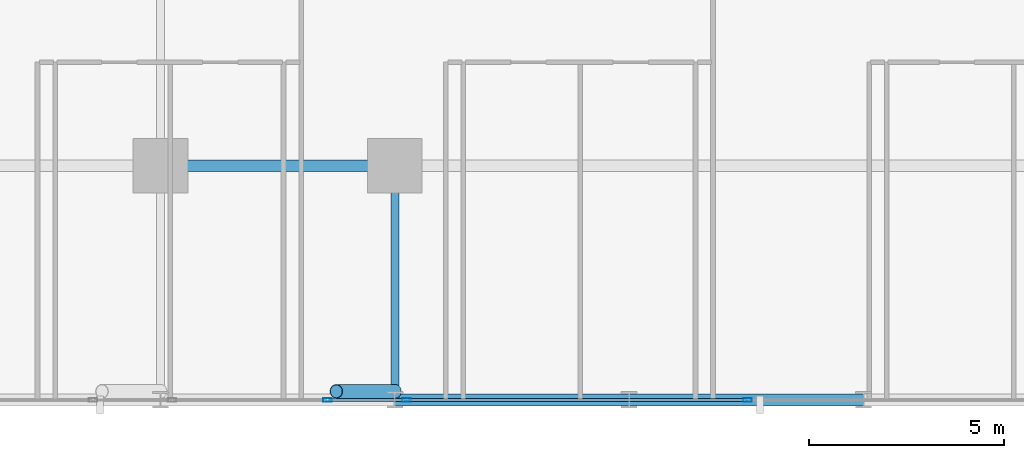
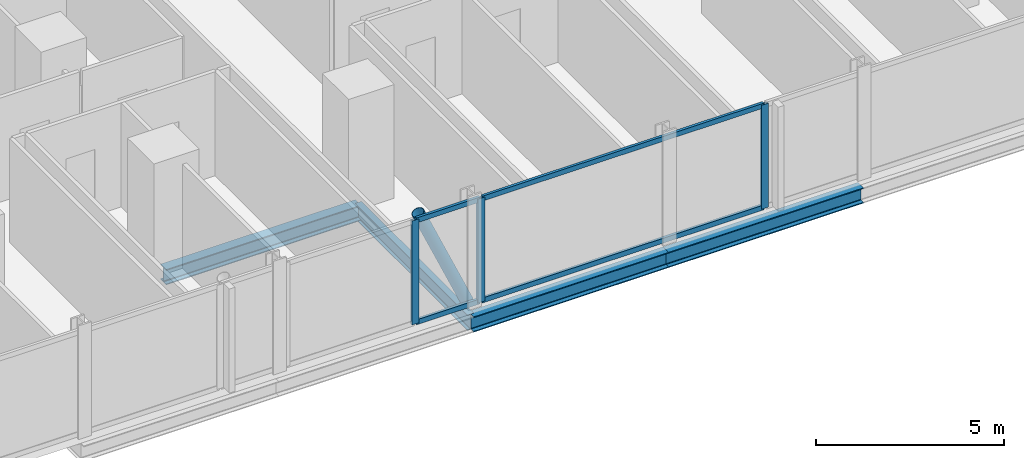
# One storey, part 7 of 34: 8 members, 4 beams, 2 elements without a shape of their own.
"""IFC4 building model written with IfcOpenShell, lengths in metres."""

import ifcopenshell
import ifcopenshell.guid

model = None  # the IFC model being written
_history = None  # IfcOwnerHistory: only IFC2X3 demands one
_inside = {}  # id of a spatial element -> (the spatial element, [elements in it])
_under = {}  # id of a project, library or spatial element -> (it, [spatial elements below it])
_declared = {}  # id of a project -> (the project, [libraries it declares])
_typed = {}  # id of a type object -> (the type object, [elements of that type])
_made_of = {}  # id of a material, layer set ... -> (it, [elements and type objects made of it])


def new_model(schema):
    """Start an empty IFC model of exactly this schema.

    Asked for "IFC4X3", IfcOpenShell would pick the latest addendum, in which some entities
    have other attributes; the version numbers below select the first issue.
    IFC2X3 requires an IfcOwnerHistory on every rooted entity: one is made here for all.
    """
    global model, _history
    if schema == "IFC4X3":
        model = ifcopenshell.file(schema_version=(4, 3, 0, 0))
    else:
        model = ifcopenshell.file(schema=schema)
    _inside.clear()
    _under.clear()
    _declared.clear()
    _typed.clear()
    _made_of.clear()
    _history = None
    if model.schema == "IFC2X3":
        org = make("IfcOrganization", Name="unknown")
        user = make(
            "IfcPersonAndOrganization",
            ThePerson=make("IfcPerson", FamilyName="unknown"),
            TheOrganization=org,
        )
        app = make(
            "IfcApplication",
            ApplicationDeveloper=org,
            Version="unknown",
            ApplicationFullName="unknown",
            ApplicationIdentifier="unknown",
        )
        _history = make(
            "IfcOwnerHistory",
            OwningUser=user,
            OwningApplication=app,
            ChangeAction="ADDED",
            CreationDate=0,
        )
    return model


def make(cls, **values):
    """One entity of the class cls with the attributes given. An attribute that is None is left unset."""
    return model.create_entity(
        cls, **{name: value for name, value in values.items() if value is not None}
    )


def rooted(cls, **values):
    """An entity with a GlobalId (a new one), such as an element, a storey or a relation."""
    return make(cls, GlobalId=ifcopenshell.guid.new(), OwnerHistory=_history, **values)


def si_unit(unit_type, name, prefix=None):
    """IfcSIUnit, for example si_unit("LENGTHUNIT", "METRE", prefix="MILLI")."""
    return make("IfcSIUnit", UnitType=unit_type, Prefix=prefix, Name=name)


def assignment(units):
    """IfcUnitAssignment: the units of a project."""
    return None if units is None else make("IfcUnitAssignment", Units=units)


def point(xyz):
    """IfcCartesianPoint."""
    return None if xyz is None else make("IfcCartesianPoint", Coordinates=xyz)


def direction(xyz):
    """IfcDirection."""
    return None if xyz is None else make("IfcDirection", DirectionRatios=xyz)


def frame(location, z_axis=None, x_axis=None):
    """IfcAxis2Placement3D, a coordinate frame: its origin and axes. An axis left out is left unset."""
    return make(
        "IfcAxis2Placement3D",
        Location=point(location),
        Axis=direction(z_axis),
        RefDirection=direction(x_axis),
    )


def frame_2d(location, x_axis=None):
    """IfcAxis2Placement2D, a coordinate frame in the plane: its origin and x axis."""
    return make(
        "IfcAxis2Placement2D", Location=point(location), RefDirection=direction(x_axis)
    )


def origin():
    """The frame at (0, 0, 0) with its axes left unset."""
    return frame((0.0, 0.0, 0.0))


def origin_2d():
    """The frame at (0, 0) in the plane with its x axis left unset."""
    return frame_2d((0.0, 0.0))


def place(relative_to, where):
    """IfcLocalPlacement: puts the frame where relative to a parent placement (None: the world)."""
    return make(
        "IfcLocalPlacement", PlacementRelTo=relative_to, RelativePlacement=where
    )


def context(
    kind, dimensions, precision=None, world=None, true_north=None, identifier=None
):
    """IfcGeometricRepresentationContext, for example the 3D "Model" context."""
    return make(
        "IfcGeometricRepresentationContext",
        ContextIdentifier=identifier,
        ContextType=kind,
        CoordinateSpaceDimension=dimensions,
        Precision=precision,
        WorldCoordinateSystem=world,
        TrueNorth=true_north,
    )


def subcontext(parent, identifier, kind, view, scale=None):
    """IfcGeometricRepresentationSubContext, for example "Body" below "Model"."""
    return make(
        "IfcGeometricRepresentationSubContext",
        ContextIdentifier=identifier,
        ContextType=kind,
        ParentContext=parent,
        TargetScale=scale,
        TargetView=view,
    )


def project(units=None, contexts=None):
    """IfcProject with its units and contexts."""
    return rooted(
        "IfcProject",
        Name="project",
        RepresentationContexts=contexts,
        UnitsInContext=assignment(units),
    )


def spatial(cls, under=None, at=None, **own):
    """A site, building, storey or space (cls), placed at a placement, below another one or the project."""
    s = rooted(cls, ObjectPlacement=at, **own)
    if under is not None:
        _under.setdefault(under.id(), (under, []))[1].append(s)
    return s


def profile(cls, at=None, kind="AREA", **sizes):
    """A parametric profile (cls). Its sizes go by their IFC names, for example OverallWidth=200.0."""
    return make(cls, ProfileType=kind, Position=at, **sizes)


def hollow_rectangle(**sizes):
    """IfcRectangleHollowProfileDef."""
    return profile("IfcRectangleHollowProfileDef", **sizes)


def hollow_circle(**sizes):
    """IfcCircleHollowProfileDef."""
    return profile("IfcCircleHollowProfileDef", **sizes)


def i_section(**sizes):
    """IfcIShapeProfileDef."""
    return profile("IfcIShapeProfileDef", **sizes)


def extrude(swept, where, along, depth):
    """IfcExtrudedAreaSolid: the profile swept, set in the frame where, extruded along a direction by depth."""
    return make(
        "IfcExtrudedAreaSolid",
        SweptArea=swept,
        Position=where,
        ExtrudedDirection=direction(along),
        Depth=depth,
    )


def shape(context_of_items, identifier, shape_type, items):
    """IfcShapeRepresentation: the items that make up one representation, for example the "Body"."""
    return make(
        "IfcShapeRepresentation",
        ContextOfItems=context_of_items,
        RepresentationIdentifier=identifier,
        RepresentationType=shape_type,
        Items=items,
    )


def material(Name=None, Category=None):
    """IfcMaterial."""
    return make("IfcMaterial", Name=Name, Category=Category)


def layer(
    of_material, thickness, ventilated=None, Name=None, Category=None, Priority=None
):
    """IfcMaterialLayer: one layer of a wall or slab, of a material (None: an air gap)."""
    return make(
        "IfcMaterialLayer",
        Material=of_material,
        LayerThickness=thickness,
        IsVentilated=ventilated,
        Name=Name,
        Category=Category,
        Priority=Priority,
    )


def layer_set(layers, Name=None):
    """IfcMaterialLayerSet."""
    return make("IfcMaterialLayerSet", MaterialLayers=layers, LayerSetName=Name)


def material_profile(
    of_material, cross_section, Name=None, Category=None, Priority=None
):
    """IfcMaterialProfile: a cross section and its material."""
    return make(
        "IfcMaterialProfile",
        Name=Name,
        Material=of_material,
        Profile=cross_section,
        Priority=Priority,
        Category=Category,
    )


def profile_set(profiles, Name=None, composite=None):
    """IfcMaterialProfileSet."""
    return make(
        "IfcMaterialProfileSet",
        Name=Name,
        MaterialProfiles=profiles,
        CompositeProfile=composite,
    )


def made_of(thing, what):
    """Note that an element or type object is made of a material, layer set ...; save() writes the relation."""
    if what is not None:
        _made_of.setdefault(what.id(), (what, []))[1].append(thing)
    return thing


def type_object(cls, material=None, **own):
    """A type object (cls), such as IfcWallType, which elements share."""
    return made_of(rooted(cls, **own), material)


def element(
    cls,
    number,
    at=None,
    inside=None,
    cuts=None,
    type_object=None,
    material=None,
    context=None,
    identifier="Body",
    shape_type=None,
    held_by="IfcProductDefinitionShape",
    body=None,
    shapes=None,
    **own,
):
    """One element of the class cls, such as IfcWall. Its Tag is "e" and its number.

    at: its placement. inside: the storey or other place that contains it. cuts: it is an
    opening in that element (IfcRelVoidsElement). A single representation is given by context,
    identifier, shape_type and body (its items); several are given by shapes. held_by: the class
    of the entity that holds the representations. save() writes the other relations.
    """
    e = rooted(cls, Tag="e%d" % number, ObjectPlacement=at, **own)
    if body is not None:
        shapes = [shape(context, identifier, shape_type, body)]
    if shapes is not None:
        e.Representation = make(held_by, Representations=shapes)
    if inside is not None:
        _inside.setdefault(inside.id(), (inside, []))[1].append(e)
    if cuts is not None:
        rooted(
            "IfcRelVoidsElement", RelatingBuildingElement=cuts, RelatedOpeningElement=e
        )
    if type_object is not None:
        _typed.setdefault(type_object.id(), (type_object, []))[1].append(e)
    return made_of(e, material)


def aggregate(whole, parts):
    """IfcRelAggregates: a whole, such as a stair, and the parts it consists of."""
    return rooted("IfcRelAggregates", RelatingObject=whole, RelatedObjects=parts)


def save(model, path):
    """Write the relations noted so far, then the file.

    IfcRelAggregates (storeys below a building ...), IfcRelContainedInSpatialStructure (elements
    in a storey), IfcRelDefinesByType, IfcRelAssociatesMaterial and IfcRelDeclares: one each for
    every whole, place, type object, material and project.
    """
    for whole, parts in _under.values():
        aggregate(whole, parts)
    for where, things in _inside.values():
        rooted(
            "IfcRelContainedInSpatialStructure",
            RelatedElements=things,
            RelatingStructure=where,
        )
    for kind, things in _typed.values():
        rooted("IfcRelDefinesByType", RelatedObjects=things, RelatingType=kind)
    for what, things in _made_of.values():
        rooted("IfcRelAssociatesMaterial", RelatedObjects=things, RelatingMaterial=what)
    for by, libraries in _declared.values():
        rooted("IfcRelDeclares", RelatingContext=by, RelatedDefinitions=libraries)
    model.write(path)


model = new_model("IFC4")

# Units and contexts
model_context = context("Model", 3, precision=1e-05, world=origin(), true_north=direction((0.0, 1.0)))
body_context = subcontext(model_context, "Body", "Model", "MODEL_VIEW")
ifc_project = project(units=[si_unit("LENGTHUNIT", "METRE"), si_unit("AREAUNIT", "SQUARE_METRE"), si_unit("VOLUMEUNIT", "CUBIC_METRE"), si_unit("PLANEANGLEUNIT", "RADIAN"), si_unit("MASSUNIT", "GRAM", prefix="KILO")], contexts=[model_context])

# Site, building, storey
site_placement = place(None, origin())
site = spatial("IfcSite", under=ifc_project, at=site_placement, CompositionType="ELEMENT")
building_placement = place(site_placement, origin())
building = spatial("IfcBuilding", under=site, at=building_placement, Name="Keshet Zoharim Tower", CompositionType="ELEMENT")
storey_placement = place(building_placement, frame((0.0, 0.0, 38.800048828125)))
storey = spatial("IfcBuildingStorey", under=building, at=storey_placement, Name="L08", CompositionType="ELEMENT", Elevation=38.800048828125)

# Beams
ifc_material_1 = material(Name="Steel S355", Category="steel")
ifc_material_profile_1 = material_profile(ifc_material_1, i_section(OverallWidth=0.199951171875, OverallDepth=0.5, WebThickness=0.01025390625, FlangeThickness=0.01611328125, FilletRadius=0.02099609375, at=origin_2d()), Name="IPE500")
ifc_profile_set_1 = profile_set([ifc_material_profile_1], Name="Steel S355")
beam_type_1 = type_object("IfcBeamType", Name="BM-PRI-IP500", PredefinedType="BEAM", material=ifc_profile_set_1)
beam_placement = place(storey_placement, frame((39.0, 0.699951171875, -0.56494140625), z_axis=(0.0, 1.0, 0.0), x_axis=(-1.0, 0.0, 0.0)))
element("IfcBeam", 1, at=beam_placement, inside=storey, type_object=beam_type_1, Name="L08 Primary Girder Y-012", PredefinedType="BEAM", context=body_context, shape_type="SweptSolid", body=[
    extrude(i_section(OverallWidth=0.199951171875, OverallDepth=0.5, WebThickness=0.01025390625, FlangeThickness=0.01611328125, FilletRadius=0.02099609375, at=origin_2d()), origin(), (0.0, 0.0, 1.0), 6.0),
])
ifc_material_profile_2 = material_profile(ifc_material_1, i_section(OverallWidth=0.300048828125, OverallDepth=0.5, WebThickness=0.014404296875, FlangeThickness=0.028076171875, FilletRadius=0.027099609375, at=origin_2d()), Name="HEB500")
ifc_profile_set_2 = profile_set([ifc_material_profile_2], Name="Steel S355")
beam_type_2 = type_object("IfcBeamType", Name="BM-WEB-HB500", PredefinedType="BEAM", material=ifc_profile_set_2)
for number, where, z_axis, x_axis, name in (
    (2, (39.0, 0.699951171875, -0.56494140625), (1.0, 0.0, 0.0), (0.0, 1.0, 0.0), "L08 Primary Girder X-003"),
    (3, (45.0, 0.699951171875, -0.56494140625), (1.0, 0.0, 0.0), (0.0, 1.0, 0.0), "L08 Primary Girder X-004"),
    (4, (33.0, 6.699951171875, -0.56494140625), (1.0, 0.0, 0.0), (0.0, 1.0, 0.0), "L08 Primary Girder X-008"),
):
    element("IfcBeam", number, at=place(storey_placement, frame(where, z_axis=z_axis, x_axis=x_axis)), inside=storey, type_object=beam_type_2, Name=name, PredefinedType="BEAM", context=body_context, shape_type="SweptSolid", body=[
        extrude(i_section(OverallWidth=0.300048828125, OverallDepth=0.5, WebThickness=0.014404296875, FlangeThickness=0.028076171875, FilletRadius=0.027099609375, at=origin_2d()), origin(), (0.0, 0.0, 1.0), 6.0),
    ])

# Curtain wall, members
ifc_material_2 = material(Name="Aluminium 6063-T6", Category="aluminium")
ifc_layer = layer(ifc_material_2, 0.179931640625)
ifc_layer_set = layer_set([ifc_layer], Name="Aluminium 6063-T6")
curtain_wall_type = type_object("IfcCurtainWallType", Name="CW-SYS-01", PredefinedType="NOTDEFINED", material=ifc_layer_set)
curtain_wall_1_placement = place(storey_placement, origin())
curtain_wall_1 = element("IfcCurtainWall", 5, at=curtain_wall_1_placement, inside=storey, type_object=curtain_wall_type, Name="L08 Unitised Curtain Wall 26", PredefinedType="NOTDEFINED")
ifc_material_profile_3 = material_profile(ifc_material_2, hollow_rectangle(XDim=0.090087890625, YDim=0.219970703125, WallThickness=0.0048828125, at=origin_2d()), Name="MUL-90x220")
ifc_profile_set_3 = profile_set([ifc_material_profile_3], Name="Aluminium 6063-T6")
member_type_1 = type_object("IfcMemberType", Name="CWM-M22", PredefinedType="MULLION", material=ifc_profile_set_3)
member_1_placement = place(storey_placement, frame((48.03271484375, 0.699951171875, 0.0), z_axis=(0.0, 0.0, 1.0), x_axis=(0.0, -1.0, 0.0)))
member_1 = element("IfcMember", 6, at=member_1_placement, type_object=member_type_1, Name="CW-01 mullion 2", PredefinedType="MULLION", context=body_context, shape_type="SweptSolid", body=[
    extrude(hollow_rectangle(XDim=0.090087890625, YDim=0.219970703125, WallThickness=0.0048828125, at=origin_2d()), origin(), (0.0, 0.0, 1.0), 3.385009765625),
])
member_2_placement = place(storey_placement, frame((39.297607421875, 0.699951171875, 0.0), z_axis=(0.0, 0.0, 1.0), x_axis=(0.0, -1.0, 0.0)))
member_2 = element("IfcMember", 7, at=member_2_placement, type_object=member_type_1, Name="CW-01 mullion 3", PredefinedType="MULLION", context=body_context, shape_type="SweptSolid", body=[
    extrude(hollow_rectangle(XDim=0.090087890625, YDim=0.219970703125, WallThickness=0.0048828125, at=origin_2d()), origin(), (0.0, 0.0, 1.0), 3.385009765625),
])

# Curtain wall, member
curtain_wall_2_placement = place(storey_placement, origin())
curtain_wall_2 = element("IfcCurtainWall", 8, at=curtain_wall_2_placement, inside=storey, type_object=curtain_wall_type, Name="L08 Unitised Curtain Wall 26 Part 2", PredefinedType="NOTDEFINED")
member_3_placement = place(storey_placement, frame((37.2724609375, 0.699951171875, 0.0), z_axis=(0.0, 0.0, 1.0), x_axis=(0.0, -1.0, 0.0)))
member_3 = element("IfcMember", 9, at=member_3_placement, type_object=member_type_1, Name="CW-01 mullion 2", PredefinedType="MULLION", context=body_context, shape_type="SweptSolid", body=[
    extrude(hollow_rectangle(XDim=0.090087890625, YDim=0.219970703125, WallThickness=0.0048828125, at=origin_2d()), origin(), (0.0, 0.0, 1.0), 3.385009765625),
])

# Member
ifc_material_profile_4 = material_profile(ifc_material_2, hollow_rectangle(XDim=0.0849609375, YDim=0.159912109375, WallThickness=0.00439453125, at=origin_2d()), Name="TRN-85x160")
ifc_profile_set_4 = profile_set([ifc_material_profile_4], Name="Aluminium 6063-T6")
member_type_2 = type_object("IfcMemberType", Name="CWT-T16", PredefinedType="USERDEFINED", material=ifc_profile_set_4)
member_4_placement = place(storey_placement, frame((47.997802734375, 0.699951171875, 0.034912109375), z_axis=(-1.0, 0.0, 0.0), x_axis=(0.0, -1.0, 0.0)))
member_4 = element("IfcMember", 10, at=member_4_placement, type_object=member_type_2, Name="CW-01 transom 2.1", ObjectType="TRANSOM", PredefinedType="USERDEFINED", context=body_context, shape_type="SweptSolid", body=[
    extrude(hollow_rectangle(XDim=0.0849609375, YDim=0.159912109375, WallThickness=0.00439453125, at=origin_2d()), origin(), (0.0, 0.0, 1.0), 8.665283203125),
])

member_5_placement = place(storey_placement, frame((47.997802734375, 0.699951171875, 3.349853515625), z_axis=(-1.0, 0.0, 0.0), x_axis=(0.0, -1.0, 0.0)))
member_5 = element("IfcMember", 11, at=member_5_placement, type_object=member_type_2, Name="CW-01 transom 2.2", ObjectType="TRANSOM", PredefinedType="USERDEFINED", context=body_context, shape_type="SweptSolid", body=[
    extrude(hollow_rectangle(XDim=0.0849609375, YDim=0.159912109375, WallThickness=0.00439453125, at=origin_2d()), origin(), (0.0, 0.0, 1.0), 8.665283203125),
])

aggregate(curtain_wall_1, [member_1, member_2, member_4, member_5])

member_6_placement = place(storey_placement, frame((39.2626953125, 0.699951171875, 0.034912109375), z_axis=(-1.0, 0.0, 0.0), x_axis=(0.0, -1.0, 0.0)))
member_6 = element("IfcMember", 12, at=member_6_placement, type_object=member_type_2, Name="CW-01 transom 1.1", ObjectType="TRANSOM", PredefinedType="USERDEFINED", context=body_context, shape_type="SweptSolid", body=[
    extrude(hollow_rectangle(XDim=0.0849609375, YDim=0.159912109375, WallThickness=0.00439453125, at=origin_2d()), origin(), (0.0, 0.0, 1.0), 1.955322265625),
])

member_7_placement = place(storey_placement, frame((39.2626953125, 0.699951171875, 3.349853515625), z_axis=(-1.0, 0.0, 0.0), x_axis=(0.0, -1.0, 0.0)))
member_7 = element("IfcMember", 13, at=member_7_placement, type_object=member_type_2, Name="CW-01 transom 1.2", ObjectType="TRANSOM", PredefinedType="USERDEFINED", context=body_context, shape_type="SweptSolid", body=[
    extrude(hollow_rectangle(XDim=0.0849609375, YDim=0.159912109375, WallThickness=0.00439453125, at=origin_2d()), origin(), (0.0, 0.0, 1.0), 1.955322265625),
])

aggregate(curtain_wall_2, [member_3, member_6, member_7])

ifc_material_profile_5 = material_profile(ifc_material_1, hollow_circle(Radius=0.177734375, WallThickness=0.012451171875, at=origin_2d()), Name="CHS355x12.5")
ifc_profile_set_5 = profile_set([ifc_material_profile_5], Name="Steel S355")
member_type_3 = type_object("IfcMemberType", Name="MB-BR-C355", PredefinedType="BRACE", material=ifc_profile_set_5)
member_8_placement = place(storey_placement, frame((39.0, 0.919921875, 0.0), z_axis=(-0.405134846829, 0.0, 0.91425694194), x_axis=(0.0, -1.0, 0.0)))
element("IfcMember", 14, at=member_8_placement, inside=storey, type_object=member_type_3, Name="L08 Perimeter Tube Brace 03", PredefinedType="BRACE", context=body_context, shape_type="SweptSolid", body=[
    extrude(hollow_circle(Radius=0.177734375, WallThickness=0.012451171875, at=origin_2d()), origin(), (0.0, 0.0, 1.0), 3.702392578125),
])

save(model, "model.ifc")
